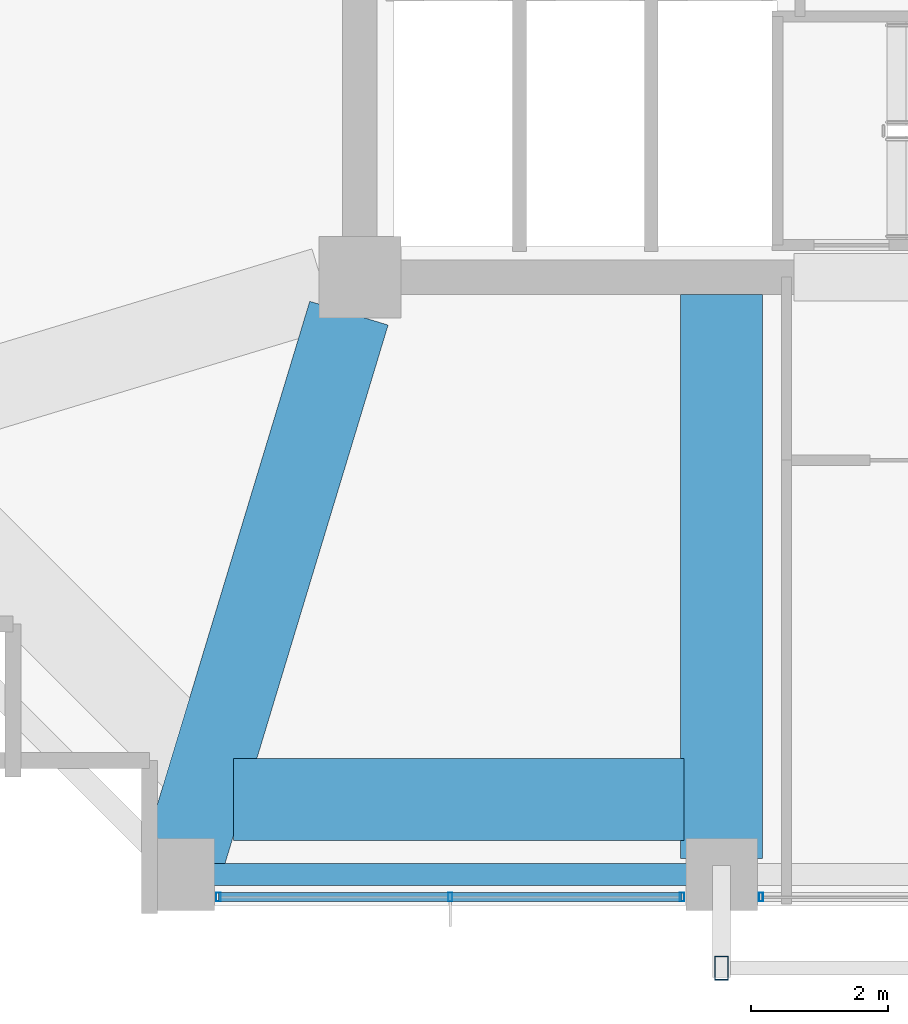
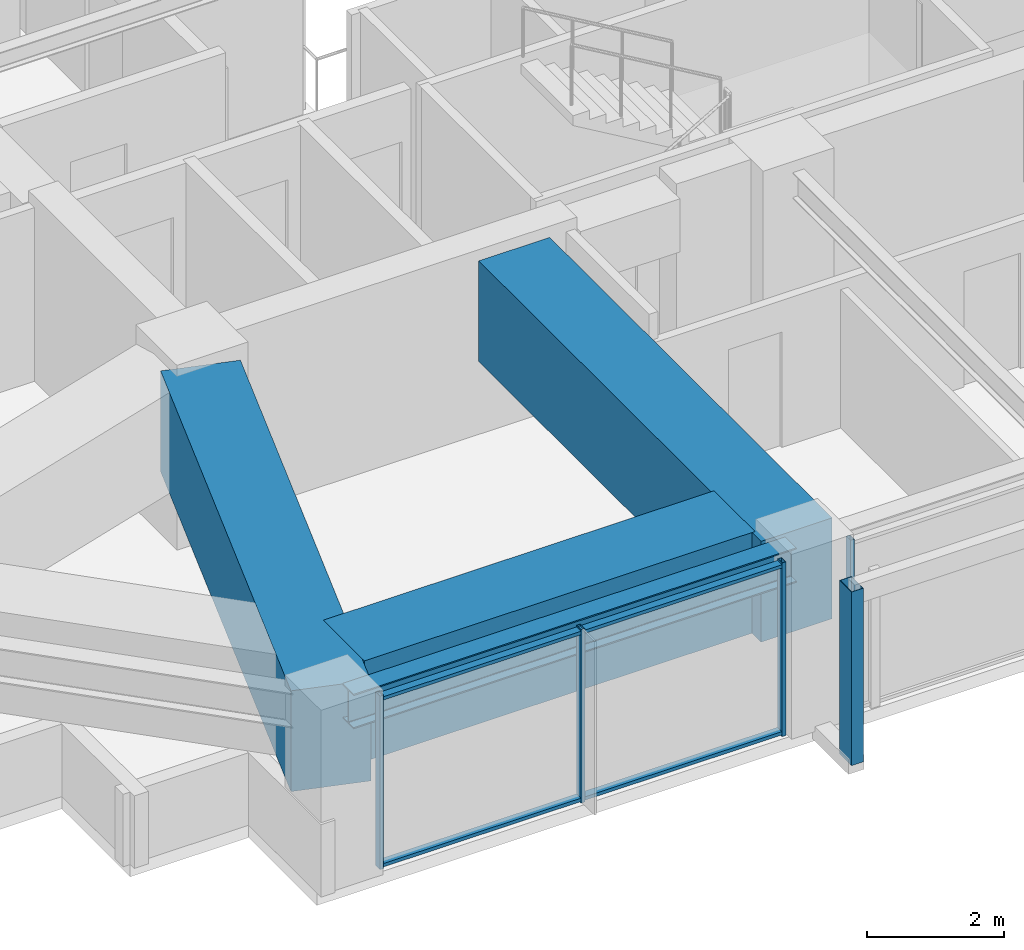
# One storey, part 2 of 28: 7 members, 4 beams, 2 elements without a shape of their own.
"""IFC4 building model written with IfcOpenShell, lengths in metres."""

from ifc_helpers import new_model, si_unit, direction, frame, origin, origin_2d, place, context, subcontext, project, spatial, rectangle, hollow_rectangle, i_section, extrude, material, material_profile, profile_set, type_object, element, aggregate, save


model = new_model("IFC4")

# Units and contexts
model_context = context("Model", 3, precision=1e-05, world=origin(), true_north=direction((0.0, 1.0)))
body_context = subcontext(model_context, "Body", "Model", "MODEL_VIEW")
ifc_project = project(units=[si_unit("LENGTHUNIT", "METRE"), si_unit("AREAUNIT", "SQUARE_METRE"), si_unit("VOLUMEUNIT", "CUBIC_METRE"), si_unit("PLANEANGLEUNIT", "RADIAN"), si_unit("MASSUNIT", "GRAM", prefix="KILO")], contexts=[model_context])

# Site, building, storey
site_placement = place(None, origin())
site = spatial("IfcSite", under=ifc_project, at=site_placement, CompositionType="ELEMENT")
building_placement = place(site_placement, origin())
building = spatial("IfcBuilding", under=site, at=building_placement, Name="Kolvaren Belvedere", CompositionType="ELEMENT")
storey_placement = place(building_placement, frame((0.0, 0.0, 125.0)))
storey = spatial("IfcBuildingStorey", under=building, at=storey_placement, Name="L36", CompositionType="ELEMENT", Elevation=125.0)

# Beams
ifc_material_1 = material(Name="Structural steel ASTM A992 Grade 50", Category="steel")
ifc_material_profile_1 = material_profile(ifc_material_1, i_section(OverallWidth=0.324951171875, OverallDepth=0.615966796875, WebThickness=0.013916015625, FlangeThickness=0.021484375, FilletRadius=0.02001953125, at=origin_2d()), Name="W24X117")
ifc_profile_set_1 = profile_set([ifc_material_profile_1], Name="Structural steel ASTM A992 Grade 50")
beam_type_1 = type_object("IfcBeamType", Name="BM-SPAN-W24X117", PredefinedType="SPANDREL", material=ifc_profile_set_1)
beam_1_placement = place(storey_placement, frame((-12.313720703125, -18.64990234375, 2.7919921875), z_axis=(1.0, 0.0, 0.0), x_axis=(0.0, 1.0, 0.0)))
element("IfcBeam", 1, at=beam_1_placement, inside=storey, type_object=beam_type_1, Name="L36 Perimeter Spandrel S1-S2", PredefinedType="SPANDREL", context=body_context, shape_type="SweptSolid", body=[
    extrude(i_section(OverallWidth=0.324951171875, OverallDepth=0.615966796875, WebThickness=0.013916015625, FlangeThickness=0.021484375, FilletRadius=0.02001953125, at=origin_2d()), origin(), (0.0, 0.0, 1.0), 7.4775390625),
])
ifc_material_2 = material(Name="Concrete C50/60", Category="concrete")
ifc_material_profile_2 = material_profile(ifc_material_2, rectangle(XDim=1.199951171875, YDim=1.800048828125, at=origin_2d()), Name="RC 1200X1800")
ifc_profile_set_2 = profile_set([ifc_material_profile_2], Name="Concrete C50/60")
beam_type_2 = type_object("IfcBeamType", Name="BM-TG-1800", PredefinedType="BEAM", material=ifc_profile_set_2)
beam_2_placement = place(storey_placement, frame((-11.75, -17.550048828125, 2.199951171875), z_axis=(1.0, 0.0, 0.0), x_axis=(0.0, 1.0, 0.0)))
element("IfcBeam", 2, at=beam_2_placement, inside=storey, type_object=beam_type_2, Name="L36 Step Transfer Ring Girder S1-S2", PredefinedType="BEAM", context=body_context, shape_type="SweptSolid", body=[
    extrude(rectangle(XDim=1.199951171875, YDim=1.800048828125, at=origin_2d()), origin(), (0.0, 0.0, 1.0), 6.60009765625),
])
beam_3_placement = place(storey_placement, frame((-4.60009765625, -10.14990234375, 2.199951171875), z_axis=(0.0, -1.0, 0.0), x_axis=(1.0, 0.0, 0.0)))
element("IfcBeam", 3, at=beam_3_placement, inside=storey, type_object=beam_type_2, Name="L36 South Radial Girder M", PredefinedType="BEAM", context=body_context, shape_type="SweptSolid", body=[
    extrude(rectangle(XDim=1.199951171875, YDim=1.800048828125, at=origin_2d()), origin(), (0.0, 0.0, 1.0), 8.263916015625),
])
beam_4_placement = place(storey_placement, frame((-10.059326171875, -10.426513671875, 2.199951171875), z_axis=(-0.289858652454, -0.957069465398, 0.0), x_axis=(0.957069465398, -0.289858652454, 0.0)))
element("IfcBeam", 4, at=beam_4_placement, inside=storey, type_object=beam_type_2, Name="L36 Corner Core-to-Perimeter Girder CC1-S1", PredefinedType="BEAM", context=body_context, shape_type="SweptSolid", body=[
    extrude(rectangle(XDim=1.199951171875, YDim=1.800048828125, at=origin_2d()), origin(), (0.0, 0.0, 1.0), 8.38232421875),
])

# Curtain wall, member
ifc_material_3 = material(Name="Anodised pale-metal aluminium AA 6063-T6", Category="aluminium")
curtain_wall_type = type_object("IfcCurtainWallType", Name="CW-Z3-WAIST", PredefinedType="NOTDEFINED", material=ifc_material_3)
curtain_wall_1_placement = place(storey_placement, origin())
curtain_wall_1 = element("IfcCurtainWall", 5, at=curtain_wall_1_placement, inside=storey, type_object=curtain_wall_type, Name="L36 Unitised Curtain Wall FCW-L36-S-B2", PredefinedType="NOTDEFINED")
ifc_material_4 = material(Name="Anodised pale-metal aluminium AA 6063-T6", Category="aluminium")
ifc_material_profile_3 = material_profile(ifc_material_4, hollow_rectangle(XDim=0.06494140625, YDim=0.1298828125, WallThickness=0.00390625, at=origin_2d()), Name="ALU-MUL-130X65")
ifc_profile_set_3 = profile_set([ifc_material_profile_3], Name="Anodised pale-metal aluminium AA 6063-T6")
member_type_1 = type_object("IfcMemberType", Name="CW-MUL-130", PredefinedType="MULLION", material=ifc_profile_set_3)
member_1_placement = place(storey_placement, frame((-4.0224609375, -18.97998046875, 0.0), z_axis=(0.0, 0.0, 1.0), x_axis=(1.0, 0.0, 0.0)))
member_1 = element("IfcMember", 6, at=member_1_placement, type_object=member_type_1, Name="FCW-L36-S-B2 Unitised Mullion 3", PredefinedType="MULLION", context=body_context, shape_type="SweptSolid", body=[
    extrude(hollow_rectangle(XDim=0.06494140625, YDim=0.1298828125, WallThickness=0.00390625, at=origin_2d()), origin(), (0.0, 0.0, 1.0), 3.10009765625),
])
aggregate(curtain_wall_1, [member_1])

# Curtain wall, members
curtain_wall_2_placement = place(storey_placement, origin())
curtain_wall_2 = element("IfcCurtainWall", 7, at=curtain_wall_2_placement, inside=storey, type_object=curtain_wall_type, Name="L36 Unitised Curtain Wall FCW-L36-S-B3", PredefinedType="NOTDEFINED")
member_2_placement = place(storey_placement, frame((-5.177490234375, -18.97998046875, 0.0), z_axis=(0.0, 0.0, 1.0), x_axis=(1.0, 0.0, 0.0)))
member_2 = element("IfcMember", 8, at=member_2_placement, type_object=member_type_1, Name="FCW-L36-S-B3 Unitised Mullion 1", PredefinedType="MULLION", context=body_context, shape_type="SweptSolid", body=[
    extrude(hollow_rectangle(XDim=0.06494140625, YDim=0.1298828125, WallThickness=0.00390625, at=origin_2d()), origin(), (0.0, 0.0, 1.0), 3.10009765625),
])
member_3_placement = place(storey_placement, frame((-8.574951171875, -18.97998046875, 0.0), z_axis=(0.0, 0.0, 1.0), x_axis=(1.0, 0.0, 0.0)))
member_3 = element("IfcMember", 9, at=member_3_placement, type_object=member_type_1, Name="FCW-L36-S-B3 Unitised Mullion 2", PredefinedType="MULLION", context=body_context, shape_type="SweptSolid", body=[
    extrude(hollow_rectangle(XDim=0.06494140625, YDim=0.1298828125, WallThickness=0.00390625, at=origin_2d()), origin(), (0.0, 0.0, 1.0), 3.10009765625),
])
member_4_placement = place(storey_placement, frame((-11.972412109375, -18.97998046875, 0.0), z_axis=(0.0, 0.0, 1.0), x_axis=(1.0, 0.0, 0.0)))
member_4 = element("IfcMember", 10, at=member_4_placement, type_object=member_type_1, Name="FCW-L36-S-B3 Unitised Mullion 3", PredefinedType="MULLION", context=body_context, shape_type="SweptSolid", body=[
    extrude(hollow_rectangle(XDim=0.06494140625, YDim=0.1298828125, WallThickness=0.00390625, at=origin_2d()), origin(), (0.0, 0.0, 1.0), 3.10009765625),
])
ifc_material_5 = material(Name="Anodised pale-metal aluminium AA 6063-T6", Category="aluminium")
ifc_material_profile_4 = material_profile(ifc_material_5, hollow_rectangle(XDim=0.06005859375, YDim=0.1298828125, WallThickness=0.00390625, at=origin_2d()), Name="ALU-TRN-130X60")
ifc_profile_set_4 = profile_set([ifc_material_profile_4], Name="Anodised pale-metal aluminium AA 6063-T6")
member_type_2 = type_object("IfcMemberType", Name="CW-TRN-130", PredefinedType="USERDEFINED", material=ifc_profile_set_4)
member_5_placement = place(storey_placement, frame((-5.177490234375, -18.97998046875, 0.06005859375), z_axis=(-1.0, 0.0, 0.0), x_axis=(0.0, 0.0, 1.0)))
member_5 = element("IfcMember", 11, at=member_5_placement, type_object=member_type_2, Name="FCW-L36-S-B3 Sill Transom", ObjectType="TRANSOM", PredefinedType="USERDEFINED", context=body_context, shape_type="SweptSolid", body=[
    extrude(hollow_rectangle(XDim=0.06005859375, YDim=0.1298828125, WallThickness=0.00390625, at=origin_2d()), origin(), (0.0, 0.0, 1.0), 6.794921875),
])
member_6_placement = place(storey_placement, frame((-5.177490234375, -18.97998046875, 3.0400390625), z_axis=(-1.0, 0.0, 0.0), x_axis=(0.0, 0.0, 1.0)))
member_6 = element("IfcMember", 12, at=member_6_placement, type_object=member_type_2, Name="FCW-L36-S-B3 Head Transom", ObjectType="TRANSOM", PredefinedType="USERDEFINED", context=body_context, shape_type="SweptSolid", body=[
    extrude(hollow_rectangle(XDim=0.06005859375, YDim=0.1298828125, WallThickness=0.00390625, at=origin_2d()), origin(), (0.0, 0.0, 1.0), 6.794921875),
])
aggregate(curtain_wall_2, [member_2, member_3, member_4, member_5, member_6])

# Member
ifc_material_6 = material(Name="Anodised pale-metal aluminium AA 6063-T6", Category="aluminium")
ifc_material_profile_5 = material_profile(ifc_material_6, hollow_rectangle(XDim=0.199951171875, YDim=0.35009765625, WallThickness=0.007568359375, at=origin_2d()), Name="ALU-PF-350X200")
ifc_profile_set_5 = profile_set([ifc_material_profile_5], Name="Anodised pale-metal aluminium AA 6063-T6")
member_type_3 = type_object("IfcMemberType", Name="PF-FRAME-350", PredefinedType="USERDEFINED", material=ifc_profile_set_5)
member_7_placement = place(storey_placement, frame((-4.60009765625, -20.02001953125, 0.0), z_axis=(0.0, 0.0, 1.0), x_axis=(1.0, 0.0, 0.0)))
element("IfcMember", 13, at=member_7_placement, inside=storey, type_object=member_type_3, Name="L36 Outboard Picture-Frame Vertical S2", ObjectType="PICTURE FRAME FIN", PredefinedType="USERDEFINED", context=body_context, shape_type="SweptSolid", body=[
    extrude(hollow_rectangle(XDim=0.199951171875, YDim=0.35009765625, WallThickness=0.007568359375, at=origin_2d()), origin(), (0.0, 0.0, 1.0), 3.10009765625),
])

save(model, "model.ifc")
